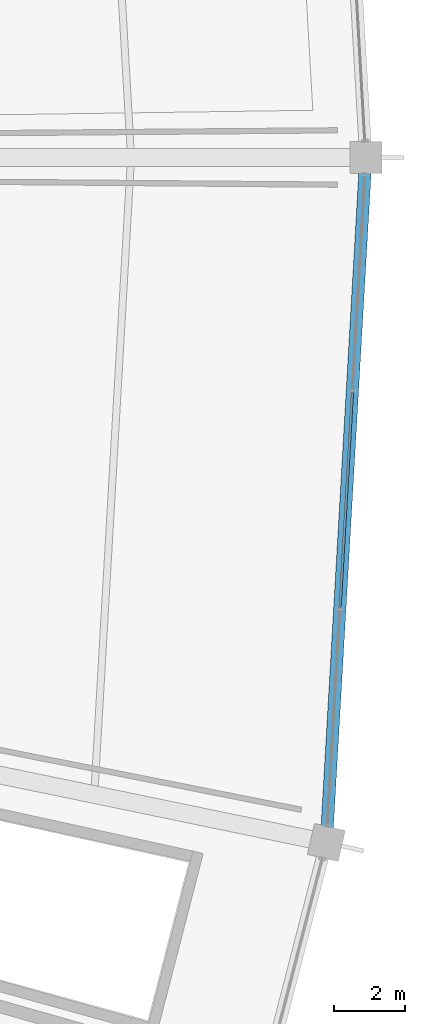
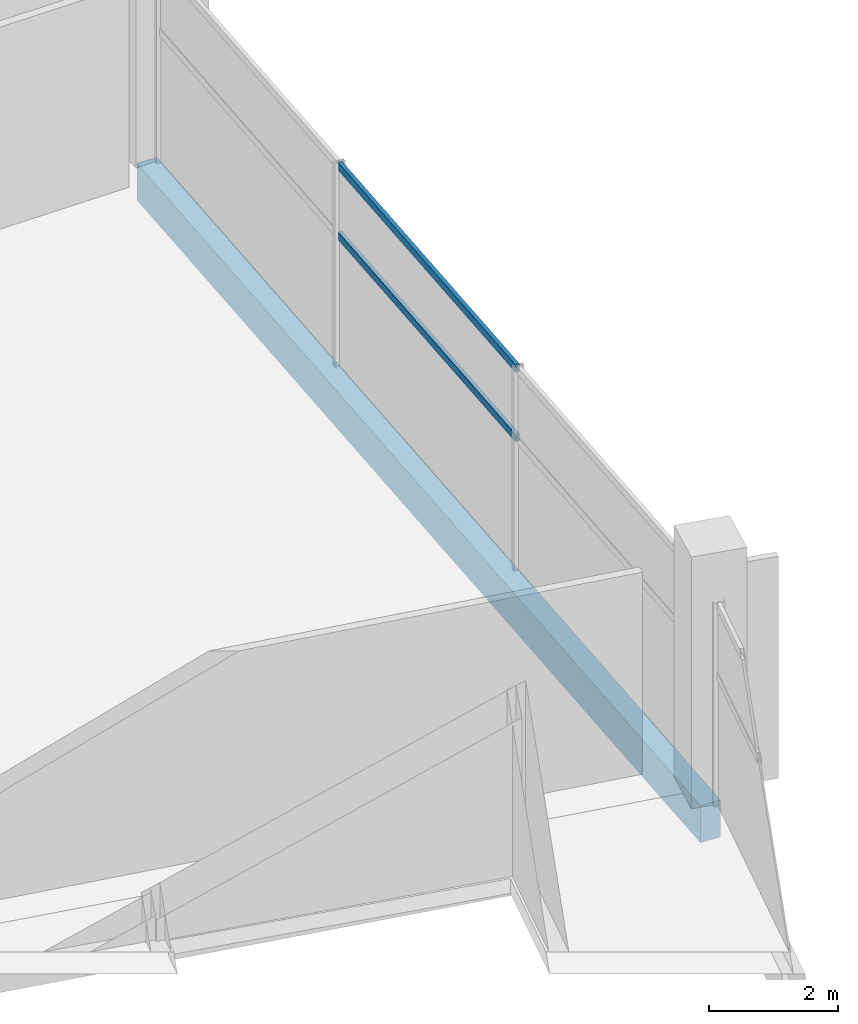
# One storey, part 61 of 156: 2 members, 1 beam, 1 element without a shape of its own.
"""IFC4 building model written with IfcOpenShell, lengths in metres."""

from ifc_helpers import new_model, si_unit, direction, frame, origin, origin_2d, place, context, subcontext, project, spatial, rectangle, hollow_rectangle, extrude, material, layer, layer_set, material_profile, profile_set, type_object, element, aggregate, save


model = new_model("IFC4")

# Units and contexts
model_context = context("Model", 3, precision=1e-05, world=origin(), true_north=direction((0.0, 1.0)))
body_context = subcontext(model_context, "Body", "Model", "MODEL_VIEW")
ifc_project = project(units=[si_unit("LENGTHUNIT", "METRE"), si_unit("AREAUNIT", "SQUARE_METRE"), si_unit("VOLUMEUNIT", "CUBIC_METRE"), si_unit("PLANEANGLEUNIT", "RADIAN"), si_unit("MASSUNIT", "GRAM", prefix="KILO")], contexts=[model_context])

# Site, building, storey
site_placement = place(None, origin())
site = spatial("IfcSite", under=ifc_project, at=site_placement, CompositionType="ELEMENT")
building_placement = place(site_placement, origin())
building = spatial("IfcBuilding", under=site, at=building_placement, Name="Kazemori Nagisa Stadium", CompositionType="ELEMENT")
storey_placement = place(building_placement, frame((0.0, 0.0, 5.780029296875)))
storey = spatial("IfcBuildingStorey", under=building, at=storey_placement, Name="L01", CompositionType="ELEMENT", Elevation=5.780029296875)

# Beam
ifc_material_1 = material(Name="Concrete C40/50 (Fc42)", Category="concrete")
ifc_material_profile_1 = material_profile(ifc_material_1, rectangle(XDim=0.35009765625, YDim=0.699951171875, at=origin_2d()), Name="RC-SP-350x700")
ifc_profile_set_1 = profile_set([ifc_material_profile_1], Name="Concrete C40/50 (Fc42)")
beam_type = type_object("IfcBeamType", Name="Beam_BS-RC350X700", PredefinedType="SPANDREL", material=ifc_profile_set_1)
beam_placement = place(storey_placement, frame((216.880859375, 82.602294921875, -0.630126953125), z_axis=(0.057598702622, 0.998339816624, 0.0), x_axis=(-0.998339816624, 0.057598702622, 0.0)))
element("IfcBeam", 1, at=beam_placement, inside=storey, type_object=beam_type, Name="Ring girder BS-RC350X700 L01 R3-28", PredefinedType="SPANDREL", context=body_context, shape_type="SweptSolid", body=[
    extrude(rectangle(XDim=0.35009765625, YDim=0.699951171875, at=origin_2d()), origin(), (0.0, 0.0, 1.0), 19.429931640625),
])

# Curtain wall, members
ifc_material_2 = material(Name="Anodised aluminium 6063-T5", Category="aluminium")
ifc_layer = layer(ifc_material_2, 0.179931640625, Name="Anodised aluminium 6063-T5", Category="aluminium")
ifc_layer_set = layer_set([ifc_layer], Name="Anodised aluminium 6063-T5")
curtain_wall_type = type_object("IfcCurtainWallType", Name="CW_L01R3_93", PredefinedType="USERDEFINED", material=ifc_layer_set)
curtain_wall_placement = place(storey_placement, origin())
curtain_wall = element("IfcCurtainWall", 2, at=curtain_wall_placement, inside=storey, type_object=curtain_wall_type, Name="Unitised curtain wall CW-L01R3-93 L01", ObjectType="UNITISED CURTAIN WALL", PredefinedType="USERDEFINED")
ifc_material_3 = material(Name="Aluminium 6063-T5 anodised", Category="aluminium")
ifc_material_profile_2 = material_profile(ifc_material_3, hollow_rectangle(XDim=0.070068359375, YDim=0.139892578125, WallThickness=0.00390625, at=origin_2d()), Name="ALU-TRAN-70x140x4")
ifc_profile_set_2 = profile_set([ifc_material_profile_2], Name="Aluminium 6063-T5 anodised")
member_type = type_object("IfcMemberType", Name="Transom_T01", PredefinedType="USERDEFINED", material=ifc_profile_set_2)
member_1_placement = place(storey_placement, frame((217.26416015625, 89.246337890625, 2.4638671875), z_axis=(0.057606475429, 0.998339368145, 0.0), x_axis=(-0.998339368145, 0.057606475429, 0.0)))
member_1 = element("IfcMember", 3, at=member_1_placement, type_object=member_type, Name="Curtain wall transom CW-L01R3-93-T2-mid", ObjectType="TRANSOM", PredefinedType="USERDEFINED", context=body_context, shape_type="SweptSolid", body=[
    extrude(hollow_rectangle(XDim=0.070068359375, YDim=0.139892578125, WallThickness=0.00390625, at=origin_2d()), origin(), (0.0, 0.0, 1.0), 6.119873046875),
])
member_2_placement = place(storey_placement, frame((217.26416015625, 89.246337890625, 3.780029296875), z_axis=(0.057606475429, 0.998339368145, 0.0), x_axis=(-0.998339368145, 0.057606475429, 0.0)))
member_2 = element("IfcMember", 4, at=member_2_placement, type_object=member_type, Name="Curtain wall transom CW-L01R3-93-T2-head", ObjectType="TRANSOM", PredefinedType="USERDEFINED", context=body_context, shape_type="SweptSolid", body=[
    extrude(hollow_rectangle(XDim=0.070068359375, YDim=0.139892578125, WallThickness=0.00390625, at=origin_2d()), origin(), (0.0, 0.0, 1.0), 6.119873046875),
])
aggregate(curtain_wall, [member_1, member_2])

save(model, "model.ifc")
